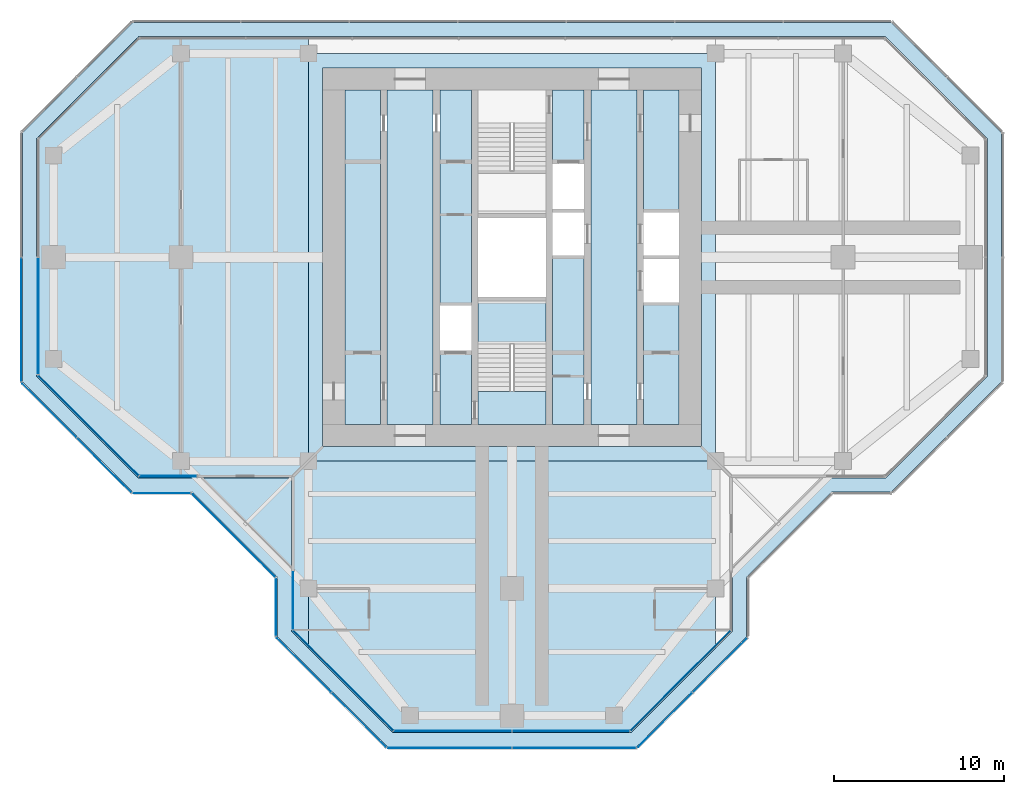
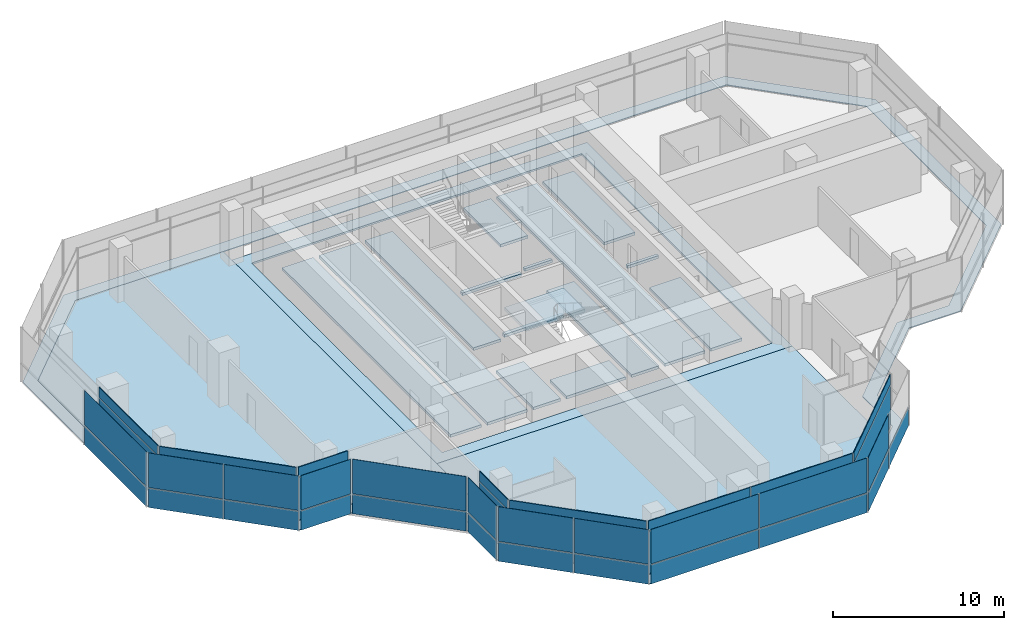
# One storey, part 9 of 15: 40 plates, 7 slabs, 16 elements without a shape of their own.
"""IFC4 building model written with IfcOpenShell, lengths in metres."""

from ifc_helpers import new_model, si_unit, direction, frame, origin, origin_2d, place, context, subcontext, project, spatial, polyline, rectangle, outline, extrude, material, layer, layer_set, type_object, element, aggregate, save


model = new_model("IFC4")

# Units and contexts
model_context = context("Model", 3, precision=1e-05, world=origin(), true_north=direction((0.0, 1.0)))
body_context = subcontext(model_context, "Body", "Model", "MODEL_VIEW")
ifc_project = project(units=[si_unit("LENGTHUNIT", "METRE"), si_unit("AREAUNIT", "SQUARE_METRE"), si_unit("VOLUMEUNIT", "CUBIC_METRE"), si_unit("PLANEANGLEUNIT", "RADIAN"), si_unit("MASSUNIT", "GRAM", prefix="KILO")], contexts=[model_context])

# Site, building, storey
site_placement = place(None, origin())
site = spatial("IfcSite", under=ifc_project, at=site_placement, CompositionType="ELEMENT")
building_placement = place(site_placement, origin())
building = spatial("IfcBuilding", under=site, at=building_placement, Name="Mizan Broadcast Tower", CompositionType="ELEMENT")
storey_placement = place(building_placement, frame((0.0, 0.0, 298.5)))
storey = spatial("IfcBuildingStorey", under=building, at=storey_placement, Name="L71", CompositionType="ELEMENT", Elevation=298.5)

# Plate
ifc_material_1 = material(Name="Aluminium grating", Category="aluminium")
ifc_layer_1 = layer(ifc_material_1, 0.050048828125)
ifc_layer_set_1 = layer_set([ifc_layer_1], Name="Aluminium grating")
plate_type_1 = type_object("IfcPlateType", Name="CAVITY GRATING", PredefinedType="USERDEFINED", material=ifc_layer_set_1)
plate_1_placement = place(storey_placement, frame((0.0, 0.0, -0.050048828125)))
element("IfcPlate", 1, at=plate_1_placement, inside=storey, type_object=plate_type_1, Name="Cavity grating L71", ObjectType="GRATING", PredefinedType="USERDEFINED", context=body_context, shape_type="SweptSolid", body=[
    extrude(outline(polyline([(-22.339599609375, 13.820068359375), (-28.820068359375, 7.339599609375), (-28.820068359375, -7.339599609375), (-22.339599609375, -13.820068359375), (-18.839599609375, -13.820068359375), (-13.820068359375, -18.839599609375), (-13.820068359375, -22.339599609375), (-7.339599609375, -28.820068359375), (7.339599609375, -28.820068359375), (13.820068359375, -22.339599609375), (13.820068359375, -18.839599609375), (18.839599609375, -13.820068359375), (22.339599609375, -13.820068359375), (28.820068359375, -7.339599609375), (28.820068359375, 7.339599609375), (22.339599609375, 13.820068359375), (-22.339599609375, 13.820068359375)]), holes=[polyline([(-18.5, -13.0), (-22.0, -13.0), (-28.0, -7.0), (-28.0, 7.0), (-22.0, 13.0), (22.0, 13.0), (28.0, 7.0), (28.0, -7.0), (22.0, -13.0), (18.5, -13.0), (13.0, -18.5), (13.0, -22.0), (7.0, -28.0), (-7.0, -28.0), (-13.0, -22.0), (-13.0, -18.5), (-18.5, -13.0)])]), origin(), (0.0, 0.0, 1.0), 0.050048828125),
])

# Slabs
ifc_material_2 = material(Name="Concrete C32/40", Category="concrete")
ifc_layer_2 = layer(ifc_material_2, 0.1298828125)
ifc_layer_set_2 = layer_set([ifc_layer_2], Name="Concrete C32/40")
slab_type_1 = type_object("IfcSlabType", Name="COMPOSITE DECK SLAB 130", PredefinedType="FLOOR", material=ifc_layer_set_2)
slab_1_placement = place(storey_placement, frame((0.0, 0.0, -0.1298828125)))
element("IfcSlab", 2, at=slab_1_placement, inside=storey, type_object=slab_type_1, Name="Floor slab L71 centre", PredefinedType="FLOOR", context=body_context, shape_type="SweptSolid", body=[
    extrude(outline(polyline([(-12.0, -12.0), (12.0, -12.0), (12.0, 12.0), (-12.0, 12.0), (-12.0, -12.0)]), holes=[polyline([(-11.14990234375, 11.14990234375), (11.14990234375, 11.14990234375), (11.14990234375, -11.14990234375), (-11.14990234375, -11.14990234375), (-11.14990234375, 11.14990234375)])]), origin(), (0.0, 0.0, 1.0), 0.1298828125),
])
slab_2_placement = place(storey_placement, frame((0.0, 0.0, -0.1298828125)))
element("IfcSlab", 3, at=slab_2_placement, inside=storey, type_object=slab_type_1, Name="Floor slab L71 west arm", PredefinedType="FLOOR", context=body_context, shape_type="SweptSolid", body=[
    extrude(outline(polyline([(-13.0, -22.0), (-12.0, -23.0), (-12.0, 13.0), (-13.0, 13.0), (-22.0, 13.0), (-28.0, 7.0), (-28.0, -7.0), (-22.0, -13.0), (-13.0, -13.0), (-13.0, -22.0)])), origin(), (0.0, 0.0, 1.0), 0.1298828125),
])
slab_3_placement = place(storey_placement, frame((0.0, 0.0, -0.1298828125)))
element("IfcSlab", 4, at=slab_3_placement, inside=storey, type_object=slab_type_1, Name="Floor slab L71 south arm", PredefinedType="FLOOR", context=body_context, shape_type="SweptSolid", body=[
    extrude(outline(polyline([(7.0, -28.0), (12.0, -23.0), (12.0, -12.0), (-12.0, -12.0), (-12.0, -23.0), (-7.0, -28.0), (7.0, -28.0)])), origin(), (0.0, 0.0, 1.0), 0.1298828125),
])
ifc_material_3 = material(Name="Concrete C40/50", Category="concrete")
ifc_layer_3 = layer(ifc_material_3, 0.199951171875)
ifc_layer_set_3 = layer_set([ifc_layer_3], Name="Concrete C40/50")
slab_type_2 = type_object("IfcSlabType", Name="CORE FLOOR 200", PredefinedType="FLOOR", material=ifc_layer_set_3)
slab_4_placement = place(storey_placement, frame((0.0, 0.0, -0.199951171875)))
element("IfcSlab", 5, at=slab_4_placement, inside=storey, type_object=slab_type_2, Name="Core floor L71", PredefinedType="FLOOR", context=body_context, shape_type="SweptSolid", body=[
    extrude(outline(polyline([(-9.85009765625, -9.85009765625), (-7.75, -9.85009765625), (-7.75, 9.85009765625), (-9.85009765625, 9.85009765625), (-9.85009765625, -9.85009765625)])), origin(), (0.0, 0.0, 1.0), 0.199951171875),
    extrude(outline(polyline([(-4.64990234375, 9.85009765625), (-7.35009765625, 9.85009765625), (-7.35009765625, -9.85009765625), (-4.64990234375, -9.85009765625), (-4.64990234375, 9.85009765625)])), origin(), (0.0, 0.0, 1.0), 0.199951171875),
    extrude(outline(polyline([(-4.25, -5.5), (-4.25, -9.85009765625), (-2.39990234375, -9.85009765625), (-2.39990234375, -5.5), (-4.25, -5.5)])), origin(), (0.0, 0.0, 1.0), 0.199951171875),
    extrude(outline(polyline([(-4.25, -2.85009765625), (-2.39990234375, -2.85009765625), (-2.39990234375, 9.85009765625), (-4.25, 9.85009765625), (-4.25, -2.85009765625)])), origin(), (0.0, 0.0, 1.0), 0.199951171875),
    extrude(outline(polyline([(2.0, -2.324951171875), (-2.0, -2.324951171875), (-2.0, -2.574951171875), (2.0, -2.574951171875), (2.0, -2.324951171875)])), origin(), (0.0, 0.0, 1.0), 0.199951171875),
    extrude(outline(polyline([(2.0, 2.574951171875), (-2.0, 2.574951171875), (-2.0, 2.324951171875), (2.0, 2.324951171875), (2.0, 2.574951171875)])), origin(), (0.0, 0.0, 1.0), 0.199951171875),
    extrude(outline(polyline([(4.25, -9.85009765625), (4.25, 0.10009765625), (2.39990234375, 0.10009765625), (2.39990234375, -9.85009765625), (4.25, -9.85009765625)])), origin(), (0.0, 0.0, 1.0), 0.199951171875),
    extrude(outline(polyline([(4.25, 2.64990234375), (4.25, 2.85009765625), (2.39990234375, 2.85009765625), (2.39990234375, 2.64990234375), (4.25, 2.64990234375)])), origin(), (0.0, 0.0, 1.0), 0.199951171875),
    extrude(outline(polyline([(4.25, 5.5), (4.25, 9.85009765625), (2.39990234375, 9.85009765625), (2.39990234375, 5.5), (4.25, 5.5)])), origin(), (0.0, 0.0, 1.0), 0.199951171875),
    extrude(outline(polyline([(4.64990234375, 9.85009765625), (4.64990234375, -9.85009765625), (7.35009765625, -9.85009765625), (7.35009765625, 9.85009765625), (4.64990234375, 9.85009765625)])), origin(), (0.0, 0.0, 1.0), 0.199951171875),
    extrude(outline(polyline([(9.85009765625, -9.85009765625), (9.85009765625, -2.64990234375), (7.75, -2.64990234375), (7.75, -9.85009765625), (9.85009765625, -9.85009765625)])), origin(), (0.0, 0.0, 1.0), 0.199951171875),
    extrude(outline(polyline([(9.85009765625, -0.10009765625), (9.85009765625, 0.10009765625), (7.75, 0.10009765625), (7.75, -0.10009765625), (9.85009765625, -0.10009765625)])), origin(), (0.0, 0.0, 1.0), 0.199951171875),
    extrude(outline(polyline([(7.75, 9.85009765625), (7.75, 2.64990234375), (9.85009765625, 2.64990234375), (9.85009765625, 9.85009765625), (7.75, 9.85009765625)])), origin(), (0.0, 0.0, 1.0), 0.199951171875),
])

# Curtain wall, plate
ifc_material_4 = material(Name="Aluminium framed glazing", Category="aluminium")
curtain_wall_type_1 = type_object("IfcCurtainWallType", Name="INNER SKIN TOP ZONE", PredefinedType="USERDEFINED", material=ifc_material_4)
curtain_wall_1_placement = place(storey_placement, origin())
curtain_wall_1 = element("IfcCurtainWall", 6, at=curtain_wall_1_placement, inside=storey, type_object=curtain_wall_type_1, Name="Inner skin top zone L71 W end", ObjectType="INNER SKIN TOP ZONE", PredefinedType="USERDEFINED")
ifc_material_5 = material(Name="Double glazing, clear low-e", Category="glass")
ifc_layer_4 = layer(ifc_material_5, 0.028076171875)
ifc_layer_set_4 = layer_set([ifc_layer_4], Name="Double glazing, clear low-e")
plate_type_2 = type_object("IfcPlateType", Name="INNER SKIN GLAZING UNIT", PredefinedType="CURTAIN_PANEL", material=ifc_layer_set_4)
plate_2_placement = place(storey_placement, frame((-27.89990234375, -3.46435546875, 0.0), z_axis=(0.0, 0.0, 1.0), x_axis=(0.0, -1.0, 0.0)))
plate_2 = element("IfcPlate", 7, at=plate_2_placement, type_object=plate_type_2, Name="Inner skin top zone L71 W end panel 2.1", PredefinedType="CURTAIN_PANEL", context=body_context, shape_type="SweptSolid", body=[
    extrude(rectangle(XDim=6.86865234375, YDim=0.028076171875, at=origin_2d()), origin(), (0.0, 0.0, 1.0), 3.0),
])

curtain_wall_2_placement = place(storey_placement, origin())
curtain_wall_2 = element("IfcCurtainWall", 8, at=curtain_wall_2_placement, inside=storey, type_object=curtain_wall_type_1, Name="Inner skin top zone L71 W chamfer", ObjectType="INNER SKIN TOP ZONE", PredefinedType="USERDEFINED")
plate_3_placement = place(storey_placement, frame((-24.92919921875, -9.92919921875, 0.0), z_axis=(0.0, 0.0, 1.0), x_axis=(0.707106781187, -0.707106781187, 0.0)))
plate_3 = element("IfcPlate", 9, at=plate_3_placement, type_object=plate_type_2, Name="Inner skin top zone L71 W chamfer panel 1.1", PredefinedType="CURTAIN_PANEL", context=body_context, shape_type="SweptSolid", body=[
    extrude(rectangle(XDim=8.282470703125, YDim=0.028076171875, at=origin_2d()), origin(), (0.0, 0.0, 1.0), 3.0),
])

curtain_wall_3_placement = place(storey_placement, origin())
curtain_wall_3 = element("IfcCurtainWall", 10, at=curtain_wall_3_placement, inside=storey, type_object=curtain_wall_type_1, Name="Inner skin top zone L71 W side", ObjectType="INNER SKIN TOP ZONE", PredefinedType="USERDEFINED")
plate_4_placement = place(storey_placement, frame((-20.229248046875, -12.89990234375, 0.0), z_axis=(0.0, 0.0, 1.0), x_axis=(1.0, 0.0, 0.0)))
plate_4 = element("IfcPlate", 11, at=plate_4_placement, type_object=plate_type_2, Name="Inner skin top zone L71 W side panel 1.1", PredefinedType="CURTAIN_PANEL", context=body_context, shape_type="SweptSolid", body=[
    extrude(rectangle(XDim=3.338623046875, YDim=0.028076171875, at=origin_2d()), origin(), (0.0, 0.0, 1.0), 3.0),
])

curtain_wall_4_placement = place(storey_placement, origin())
curtain_wall_4 = element("IfcCurtainWall", 12, at=curtain_wall_4_placement, inside=storey, type_object=curtain_wall_type_1, Name="Inner skin top zone L71 S side", ObjectType="INNER SKIN TOP ZONE", PredefinedType="USERDEFINED")
plate_5_placement = place(storey_placement, frame((-12.89990234375, -20.229248046875, 0.0), z_axis=(0.0, 0.0, 1.0), x_axis=(0.0, -1.0, 0.0)))
plate_5 = element("IfcPlate", 13, at=plate_5_placement, type_object=plate_type_2, Name="Inner skin top zone L71 S side panel 1.1", PredefinedType="CURTAIN_PANEL", context=body_context, shape_type="SweptSolid", body=[
    extrude(rectangle(XDim=3.338623046875, YDim=0.028076171875, at=origin_2d()), origin(), (0.0, 0.0, 1.0), 3.0),
])

curtain_wall_5_placement = place(storey_placement, origin())
curtain_wall_5 = element("IfcCurtainWall", 14, at=curtain_wall_5_placement, inside=storey, type_object=curtain_wall_type_1, Name="Inner skin top zone L71 S chamfer", ObjectType="INNER SKIN TOP ZONE", PredefinedType="USERDEFINED")
plate_6_placement = place(storey_placement, frame((-9.92919921875, -24.92919921875, 0.0), z_axis=(0.0, 0.0, 1.0), x_axis=(0.707106781187, -0.707106781187, 0.0)))
plate_6 = element("IfcPlate", 15, at=plate_6_placement, type_object=plate_type_2, Name="Inner skin top zone L71 S chamfer panel 1.1", PredefinedType="CURTAIN_PANEL", context=body_context, shape_type="SweptSolid", body=[
    extrude(rectangle(XDim=8.282470703125, YDim=0.028076171875, at=origin_2d()), origin(), (0.0, 0.0, 1.0), 3.0),
])

# Curtain wall, plates
curtain_wall_6_placement = place(storey_placement, origin())
curtain_wall_6 = element("IfcCurtainWall", 16, at=curtain_wall_6_placement, inside=storey, type_object=curtain_wall_type_1, Name="Inner skin top zone L71 S end", ObjectType="INNER SKIN TOP ZONE", PredefinedType="USERDEFINED")
plate_7_placement = place(storey_placement, frame((-3.46435546875, -27.89990234375, 0.0), z_axis=(0.0, 0.0, 1.0), x_axis=(1.0, 0.0, 0.0)))
plate_7 = element("IfcPlate", 17, at=plate_7_placement, type_object=plate_type_2, Name="Inner skin top zone L71 S end panel 1.1", PredefinedType="CURTAIN_PANEL", context=body_context, shape_type="SweptSolid", body=[
    extrude(rectangle(XDim=6.86865234375, YDim=0.028076171875, at=origin_2d()), origin(), (0.0, 0.0, 1.0), 3.0),
])
plate_8_placement = place(storey_placement, frame((3.46435546875, -27.89990234375, 0.0), z_axis=(0.0, 0.0, 1.0), x_axis=(1.0, 0.0, 0.0)))
plate_8 = element("IfcPlate", 18, at=plate_8_placement, type_object=plate_type_2, Name="Inner skin top zone L71 S end panel 2.1", PredefinedType="CURTAIN_PANEL", context=body_context, shape_type="SweptSolid", body=[
    extrude(rectangle(XDim=6.86865234375, YDim=0.028076171875, at=origin_2d()), origin(), (0.0, 0.0, 1.0), 3.0),
])

# Curtain wall, plate
curtain_wall_7_placement = place(storey_placement, origin())
curtain_wall_7 = element("IfcCurtainWall", 19, at=curtain_wall_7_placement, inside=storey, type_object=curtain_wall_type_1, Name="Inner skin top zone L71 S chamfer", ObjectType="INNER SKIN TOP ZONE", PredefinedType="USERDEFINED")
plate_9_placement = place(storey_placement, frame((9.92919921875, -24.92919921875, 0.0), z_axis=(0.0, 0.0, 1.0), x_axis=(0.707106781187, 0.707106781187, 0.0)))
plate_9 = element("IfcPlate", 20, at=plate_9_placement, type_object=plate_type_2, Name="Inner skin top zone L71 S chamfer panel 1.1", PredefinedType="CURTAIN_PANEL", context=body_context, shape_type="SweptSolid", body=[
    extrude(rectangle(XDim=8.282470703125, YDim=0.028076171875, at=origin_2d()), origin(), (0.0, 0.0, 1.0), 3.0),
])

# Plate
ifc_material_6 = material(Name="Insulated aluminium spandrel panel, pale anodised", Category="aluminium")
ifc_layer_5 = layer(ifc_material_6, 0.050048828125)
ifc_layer_set_5 = layer_set([ifc_layer_5], Name="Insulated aluminium spandrel panel, pale anodised")
plate_type_3 = type_object("IfcPlateType", Name="INNER SKIN SPANDREL PANEL", PredefinedType="CURTAIN_PANEL", material=ifc_layer_set_5)
plate_10_placement = place(storey_placement, frame((-27.89990234375, -3.46435546875, 3.06005859375), z_axis=(0.0, 0.0, 1.0), x_axis=(0.0, -1.0, 0.0)))
plate_10 = element("IfcPlate", 21, at=plate_10_placement, type_object=plate_type_3, Name="Inner skin top zone L71 W end panel 2.2", PredefinedType="CURTAIN_PANEL", context=body_context, shape_type="SweptSolid", body=[
    extrude(rectangle(XDim=6.86865234375, YDim=0.050048828125, at=origin_2d()), origin(), (0.0, 0.0, 1.0), 0.7099609375),
])

aggregate(curtain_wall_1, [plate_2, plate_10])

plate_11_placement = place(storey_placement, frame((-24.92919921875, -9.92919921875, 3.06005859375), z_axis=(0.0, 0.0, 1.0), x_axis=(0.707106781187, -0.707106781187, 0.0)))
plate_11 = element("IfcPlate", 22, at=plate_11_placement, type_object=plate_type_3, Name="Inner skin top zone L71 W chamfer panel 1.2", PredefinedType="CURTAIN_PANEL", context=body_context, shape_type="SweptSolid", body=[
    extrude(rectangle(XDim=8.282470703125, YDim=0.050048828125, at=origin_2d()), origin(), (0.0, 0.0, 1.0), 0.7099609375),
])

aggregate(curtain_wall_2, [plate_3, plate_11])

plate_12_placement = place(storey_placement, frame((-20.229248046875, -12.89990234375, 3.06005859375), z_axis=(0.0, 0.0, 1.0), x_axis=(1.0, 0.0, 0.0)))
plate_12 = element("IfcPlate", 23, at=plate_12_placement, type_object=plate_type_3, Name="Inner skin top zone L71 W side panel 1.2", PredefinedType="CURTAIN_PANEL", context=body_context, shape_type="SweptSolid", body=[
    extrude(rectangle(XDim=3.338623046875, YDim=0.050048828125, at=origin_2d()), origin(), (0.0, 0.0, 1.0), 0.7099609375),
])

aggregate(curtain_wall_3, [plate_4, plate_12])

plate_13_placement = place(storey_placement, frame((-12.89990234375, -20.229248046875, 3.06005859375), z_axis=(0.0, 0.0, 1.0), x_axis=(0.0, -1.0, 0.0)))
plate_13 = element("IfcPlate", 24, at=plate_13_placement, type_object=plate_type_3, Name="Inner skin top zone L71 S side panel 1.2", PredefinedType="CURTAIN_PANEL", context=body_context, shape_type="SweptSolid", body=[
    extrude(rectangle(XDim=3.338623046875, YDim=0.050048828125, at=origin_2d()), origin(), (0.0, 0.0, 1.0), 0.7099609375),
])

aggregate(curtain_wall_4, [plate_5, plate_13])

plate_14_placement = place(storey_placement, frame((-9.92919921875, -24.92919921875, 3.06005859375), z_axis=(0.0, 0.0, 1.0), x_axis=(0.707106781187, -0.707106781187, 0.0)))
plate_14 = element("IfcPlate", 25, at=plate_14_placement, type_object=plate_type_3, Name="Inner skin top zone L71 S chamfer panel 1.2", PredefinedType="CURTAIN_PANEL", context=body_context, shape_type="SweptSolid", body=[
    extrude(rectangle(XDim=8.282470703125, YDim=0.050048828125, at=origin_2d()), origin(), (0.0, 0.0, 1.0), 0.7099609375),
])

aggregate(curtain_wall_5, [plate_6, plate_14])

plate_15_placement = place(storey_placement, frame((-3.46435546875, -27.89990234375, 3.06005859375), z_axis=(0.0, 0.0, 1.0), x_axis=(1.0, 0.0, 0.0)))
plate_15 = element("IfcPlate", 26, at=plate_15_placement, type_object=plate_type_3, Name="Inner skin top zone L71 S end panel 1.2", PredefinedType="CURTAIN_PANEL", context=body_context, shape_type="SweptSolid", body=[
    extrude(rectangle(XDim=6.86865234375, YDim=0.050048828125, at=origin_2d()), origin(), (0.0, 0.0, 1.0), 0.7099609375),
])

plate_16_placement = place(storey_placement, frame((3.46435546875, -27.89990234375, 3.06005859375), z_axis=(0.0, 0.0, 1.0), x_axis=(1.0, 0.0, 0.0)))
plate_16 = element("IfcPlate", 27, at=plate_16_placement, type_object=plate_type_3, Name="Inner skin top zone L71 S end panel 2.2", PredefinedType="CURTAIN_PANEL", context=body_context, shape_type="SweptSolid", body=[
    extrude(rectangle(XDim=6.86865234375, YDim=0.050048828125, at=origin_2d()), origin(), (0.0, 0.0, 1.0), 0.7099609375),
])

aggregate(curtain_wall_6, [plate_7, plate_15, plate_8, plate_16])

plate_17_placement = place(storey_placement, frame((9.92919921875, -24.92919921875, 3.06005859375), z_axis=(0.0, 0.0, 1.0), x_axis=(0.707106781187, 0.707106781187, 0.0)))
plate_17 = element("IfcPlate", 28, at=plate_17_placement, type_object=plate_type_3, Name="Inner skin top zone L71 S chamfer panel 1.2", PredefinedType="CURTAIN_PANEL", context=body_context, shape_type="SweptSolid", body=[
    extrude(rectangle(XDim=8.282470703125, YDim=0.050048828125, at=origin_2d()), origin(), (0.0, 0.0, 1.0), 0.7099609375),
])

aggregate(curtain_wall_7, [plate_9, plate_17])

# Curtain wall, plates
ifc_material_7 = material(Name="Aluminium framed glazing", Category="aluminium")
curtain_wall_type_2 = type_object("IfcCurtainWallType", Name="OUTER SKIN", PredefinedType="USERDEFINED", material=ifc_material_7)
curtain_wall_8_placement = place(storey_placement, origin())
curtain_wall_8 = element("IfcCurtainWall", 29, at=curtain_wall_8_placement, inside=storey, type_object=curtain_wall_type_2, Name="Outer skin L71 W chamfer", ObjectType="OUTER SKIN", PredefinedType="USERDEFINED")
ifc_material_8 = material(Name="Laminated clear glass", Category="glass")
ifc_layer_6 = layer(ifc_material_8, 0.02001953125)
ifc_layer_set_6 = layer_set([ifc_layer_6], Name="Laminated clear glass")
plate_type_4 = type_object("IfcPlateType", Name="OUTER SKIN CLEAR GLASS", PredefinedType="CURTAIN_PANEL", material=ifc_layer_set_6)
plate_18_placement = place(storey_placement, frame((-27.254150390625, -9.018798828125, 0.0), z_axis=(0.0, 0.0, 1.0), x_axis=(0.707106781187, -0.707106781187, 0.0)))
plate_18 = element("IfcPlate", 30, at=plate_18_placement, type_object=plate_type_4, Name="Outer skin L71 W chamfer panel 1.1", PredefinedType="CURTAIN_PANEL", context=body_context, shape_type="SweptSolid", body=[
    extrude(rectangle(XDim=4.495361328125, YDim=0.02001953125, at=origin_2d()), origin(), (0.0, 0.0, 1.0), 1.3701171875),
])
plate_19_placement = place(storey_placement, frame((-27.254150390625, -9.018798828125, 1.43017578125), z_axis=(0.0, 0.0, 1.0), x_axis=(0.707106781187, -0.707106781187, 0.0)))
plate_19 = element("IfcPlate", 31, at=plate_19_placement, type_object=plate_type_4, Name="Outer skin L71 W chamfer panel 1.2", PredefinedType="CURTAIN_PANEL", context=body_context, shape_type="SweptSolid", body=[
    extrude(rectangle(XDim=4.495361328125, YDim=0.02001953125, at=origin_2d()), origin(), (0.0, 0.0, 1.0), 2.469970703125),
])

curtain_wall_9_placement = place(storey_placement, origin())
curtain_wall_9 = element("IfcCurtainWall", 32, at=curtain_wall_9_placement, inside=storey, type_object=curtain_wall_type_2, Name="Outer skin L71 W side", ObjectType="OUTER SKIN", PredefinedType="USERDEFINED")
plate_20_placement = place(storey_placement, frame((-20.622802734375, -13.89990234375, 0.0), z_axis=(0.0, 0.0, 1.0), x_axis=(1.0, 0.0, 0.0)))
plate_20 = element("IfcPlate", 33, at=plate_20_placement, type_object=plate_type_4, Name="Outer skin L71 W side panel 1.1", PredefinedType="CURTAIN_PANEL", context=body_context, shape_type="SweptSolid", body=[
    extrude(rectangle(XDim=3.340087890625, YDim=0.02001953125, at=origin_2d()), origin(), (0.0, 0.0, 1.0), 1.3701171875),
])
plate_21_placement = place(storey_placement, frame((-20.622802734375, -13.89990234375, 1.43017578125), z_axis=(0.0, 0.0, 1.0), x_axis=(1.0, 0.0, 0.0)))
plate_21 = element("IfcPlate", 34, at=plate_21_placement, type_object=plate_type_4, Name="Outer skin L71 W side panel 1.2", PredefinedType="CURTAIN_PANEL", context=body_context, shape_type="SweptSolid", body=[
    extrude(rectangle(XDim=3.340087890625, YDim=0.02001953125, at=origin_2d()), origin(), (0.0, 0.0, 1.0), 2.469970703125),
])
aggregate(curtain_wall_9, [plate_20, plate_21])

curtain_wall_10_placement = place(storey_placement, origin())
curtain_wall_10 = element("IfcCurtainWall", 35, at=curtain_wall_10_placement, inside=storey, type_object=curtain_wall_type_2, Name="Outer skin L71 W chamfer", ObjectType="OUTER SKIN", PredefinedType="USERDEFINED")
plate_22_placement = place(storey_placement, frame((-16.386474609375, -16.386474609375, 0.0), z_axis=(0.0, 0.0, 1.0), x_axis=(0.707106781187, -0.707106781187, 0.0)))
plate_22 = element("IfcPlate", 36, at=plate_22_placement, type_object=plate_type_4, Name="Outer skin L71 W chamfer panel 1.1", PredefinedType="CURTAIN_PANEL", context=body_context, shape_type="SweptSolid", body=[
    extrude(rectangle(XDim=6.87255859375, YDim=0.02001953125, at=origin_2d()), origin(), (0.0, 0.0, 1.0), 1.3701171875),
])
plate_23_placement = place(storey_placement, frame((-16.386474609375, -16.386474609375, 1.43017578125), z_axis=(0.0, 0.0, 1.0), x_axis=(0.707106781187, -0.707106781187, 0.0)))
plate_23 = element("IfcPlate", 37, at=plate_23_placement, type_object=plate_type_4, Name="Outer skin L71 W chamfer panel 1.2", PredefinedType="CURTAIN_PANEL", context=body_context, shape_type="SweptSolid", body=[
    extrude(rectangle(XDim=6.87255859375, YDim=0.02001953125, at=origin_2d()), origin(), (0.0, 0.0, 1.0), 2.469970703125),
])
aggregate(curtain_wall_10, [plate_22, plate_23])

curtain_wall_11_placement = place(storey_placement, origin())
curtain_wall_11 = element("IfcCurtainWall", 38, at=curtain_wall_11_placement, inside=storey, type_object=curtain_wall_type_2, Name="Outer skin L71 S side", ObjectType="OUTER SKIN", PredefinedType="USERDEFINED")
plate_24_placement = place(storey_placement, frame((-13.89990234375, -20.622802734375, 0.0), z_axis=(0.0, 0.0, 1.0), x_axis=(0.0, -1.0, 0.0)))
plate_24 = element("IfcPlate", 39, at=plate_24_placement, type_object=plate_type_4, Name="Outer skin L71 S side panel 1.1", PredefinedType="CURTAIN_PANEL", context=body_context, shape_type="SweptSolid", body=[
    extrude(rectangle(XDim=3.340087890625, YDim=0.02001953125, at=origin_2d()), origin(), (0.0, 0.0, 1.0), 1.3701171875),
])
plate_25_placement = place(storey_placement, frame((-13.89990234375, -20.622802734375, 1.43017578125), z_axis=(0.0, 0.0, 1.0), x_axis=(0.0, -1.0, 0.0)))
plate_25 = element("IfcPlate", 40, at=plate_25_placement, type_object=plate_type_4, Name="Outer skin L71 S side panel 1.2", PredefinedType="CURTAIN_PANEL", context=body_context, shape_type="SweptSolid", body=[
    extrude(rectangle(XDim=3.340087890625, YDim=0.02001953125, at=origin_2d()), origin(), (0.0, 0.0, 1.0), 2.469970703125),
])
aggregate(curtain_wall_11, [plate_24, plate_25])

curtain_wall_12_placement = place(storey_placement, origin())
curtain_wall_12 = element("IfcCurtainWall", 41, at=curtain_wall_12_placement, inside=storey, type_object=curtain_wall_type_2, Name="Outer skin L71 S chamfer", ObjectType="OUTER SKIN", PredefinedType="USERDEFINED")
plate_26_placement = place(storey_placement, frame((-12.254150390625, -24.018798828125, 0.0), z_axis=(0.0, 0.0, 1.0), x_axis=(0.707106781187, -0.707106781187, 0.0)))
plate_26 = element("IfcPlate", 42, at=plate_26_placement, type_object=plate_type_4, Name="Outer skin L71 S chamfer panel 1.1", PredefinedType="CURTAIN_PANEL", context=body_context, shape_type="SweptSolid", body=[
    extrude(rectangle(XDim=4.495361328125, YDim=0.02001953125, at=origin_2d()), origin(), (0.0, 0.0, 1.0), 1.3701171875),
])
plate_27_placement = place(storey_placement, frame((-12.254150390625, -24.018798828125, 1.43017578125), z_axis=(0.0, 0.0, 1.0), x_axis=(0.707106781187, -0.707106781187, 0.0)))
plate_27 = element("IfcPlate", 43, at=plate_27_placement, type_object=plate_type_4, Name="Outer skin L71 S chamfer panel 1.2", PredefinedType="CURTAIN_PANEL", context=body_context, shape_type="SweptSolid", body=[
    extrude(rectangle(XDim=4.495361328125, YDim=0.02001953125, at=origin_2d()), origin(), (0.0, 0.0, 1.0), 2.469970703125),
])

curtain_wall_13_placement = place(storey_placement, origin())
curtain_wall_13 = element("IfcCurtainWall", 44, at=curtain_wall_13_placement, inside=storey, type_object=curtain_wall_type_2, Name="Outer skin L71 S end", ObjectType="OUTER SKIN", PredefinedType="USERDEFINED")
plate_28_placement = place(storey_placement, frame((-3.66650390625, -28.89990234375, 0.0), z_axis=(0.0, 0.0, 1.0), x_axis=(1.0, 0.0, 0.0)))
plate_28 = element("IfcPlate", 45, at=plate_28_placement, type_object=plate_type_4, Name="Outer skin L71 S end panel 1.1", PredefinedType="CURTAIN_PANEL", context=body_context, shape_type="SweptSolid", body=[
    extrude(rectangle(XDim=7.252685546875, YDim=0.02001953125, at=origin_2d()), origin(), (0.0, 0.0, 1.0), 1.3701171875),
])
plate_29_placement = place(storey_placement, frame((-3.66650390625, -28.89990234375, 1.43017578125), z_axis=(0.0, 0.0, 1.0), x_axis=(1.0, 0.0, 0.0)))
plate_29 = element("IfcPlate", 46, at=plate_29_placement, type_object=plate_type_4, Name="Outer skin L71 S end panel 1.2", PredefinedType="CURTAIN_PANEL", context=body_context, shape_type="SweptSolid", body=[
    extrude(rectangle(XDim=7.252685546875, YDim=0.02001953125, at=origin_2d()), origin(), (0.0, 0.0, 1.0), 2.469970703125),
])

curtain_wall_14_placement = place(storey_placement, origin())
curtain_wall_14 = element("IfcCurtainWall", 47, at=curtain_wall_14_placement, inside=storey, type_object=curtain_wall_type_2, Name="Outer skin L71 S chamfer", ObjectType="OUTER SKIN", PredefinedType="USERDEFINED")
plate_30_placement = place(storey_placement, frame((9.018798828125, -27.254150390625, 0.0), z_axis=(0.0, 0.0, 1.0), x_axis=(0.707106781187, 0.707106781187, 0.0)))
plate_30 = element("IfcPlate", 48, at=plate_30_placement, type_object=plate_type_4, Name="Outer skin L71 S chamfer panel 1.1", PredefinedType="CURTAIN_PANEL", context=body_context, shape_type="SweptSolid", body=[
    extrude(rectangle(XDim=4.495361328125, YDim=0.02001953125, at=origin_2d()), origin(), (0.0, 0.0, 1.0), 1.3701171875),
])
plate_31_placement = place(storey_placement, frame((9.018798828125, -27.254150390625, 1.43017578125), z_axis=(0.0, 0.0, 1.0), x_axis=(0.707106781187, 0.707106781187, 0.0)))
plate_31 = element("IfcPlate", 49, at=plate_31_placement, type_object=plate_type_4, Name="Outer skin L71 S chamfer panel 1.2", PredefinedType="CURTAIN_PANEL", context=body_context, shape_type="SweptSolid", body=[
    extrude(rectangle(XDim=4.495361328125, YDim=0.02001953125, at=origin_2d()), origin(), (0.0, 0.0, 1.0), 2.469970703125),
])

# Plate
ifc_material_9 = material(Name="Perforated aluminium, pale anodised", Category="aluminium")
ifc_layer_7 = layer(ifc_material_9, 0.011962890625)
ifc_layer_set_7 = layer_set([ifc_layer_7], Name="Perforated aluminium, pale anodised")
plate_type_5 = type_object("IfcPlateType", Name="OUTER SKIN PERFORATED SCREEN", PredefinedType="USERDEFINED", material=ifc_layer_set_7)
plate_32_placement = place(storey_placement, frame((-24.018798828125, -12.254150390625, 0.0), z_axis=(0.0, 0.0, 1.0), x_axis=(0.707106781187, -0.707106781187, 0.0)))
plate_32 = element("IfcPlate", 50, at=plate_32_placement, type_object=plate_type_5, Name="Outer skin L71 W chamfer panel 2.1", ObjectType="SCREEN", PredefinedType="USERDEFINED", context=body_context, shape_type="SweptSolid", body=[
    extrude(rectangle(XDim=4.495361328125, YDim=0.011962890625, at=origin_2d()), origin(), (0.0, 0.0, 1.0), 1.3701171875),
])

plate_33_placement = place(storey_placement, frame((-24.018798828125, -12.254150390625, 1.43017578125), z_axis=(0.0, 0.0, 1.0), x_axis=(0.707106781187, -0.707106781187, 0.0)))
plate_33 = element("IfcPlate", 51, at=plate_33_placement, type_object=plate_type_5, Name="Outer skin L71 W chamfer panel 2.2", ObjectType="SCREEN", PredefinedType="USERDEFINED", context=body_context, shape_type="SweptSolid", body=[
    extrude(rectangle(XDim=4.495361328125, YDim=0.011962890625, at=origin_2d()), origin(), (0.0, 0.0, 1.0), 2.469970703125),
])

aggregate(curtain_wall_8, [plate_18, plate_19, plate_32, plate_33])

plate_34_placement = place(storey_placement, frame((-9.018798828125, -27.254150390625, 0.0), z_axis=(0.0, 0.0, 1.0), x_axis=(0.707106781187, -0.707106781187, 0.0)))
plate_34 = element("IfcPlate", 52, at=plate_34_placement, type_object=plate_type_5, Name="Outer skin L71 S chamfer panel 2.1", ObjectType="SCREEN", PredefinedType="USERDEFINED", context=body_context, shape_type="SweptSolid", body=[
    extrude(rectangle(XDim=4.495361328125, YDim=0.011962890625, at=origin_2d()), origin(), (0.0, 0.0, 1.0), 1.3701171875),
])

plate_35_placement = place(storey_placement, frame((-9.018798828125, -27.254150390625, 1.43017578125), z_axis=(0.0, 0.0, 1.0), x_axis=(0.707106781187, -0.707106781187, 0.0)))
plate_35 = element("IfcPlate", 53, at=plate_35_placement, type_object=plate_type_5, Name="Outer skin L71 S chamfer panel 2.2", ObjectType="SCREEN", PredefinedType="USERDEFINED", context=body_context, shape_type="SweptSolid", body=[
    extrude(rectangle(XDim=4.495361328125, YDim=0.011962890625, at=origin_2d()), origin(), (0.0, 0.0, 1.0), 2.469970703125),
])

aggregate(curtain_wall_12, [plate_26, plate_27, plate_34, plate_35])

plate_36_placement = place(storey_placement, frame((3.66650390625, -28.89990234375, 0.0), z_axis=(0.0, 0.0, 1.0), x_axis=(1.0, 0.0, 0.0)))
plate_36 = element("IfcPlate", 54, at=plate_36_placement, type_object=plate_type_5, Name="Outer skin L71 S end panel 2.1", ObjectType="SCREEN", PredefinedType="USERDEFINED", context=body_context, shape_type="SweptSolid", body=[
    extrude(rectangle(XDim=7.252685546875, YDim=0.011962890625, at=origin_2d()), origin(), (0.0, 0.0, 1.0), 1.3701171875),
])

plate_37_placement = place(storey_placement, frame((3.66650390625, -28.89990234375, 1.43017578125), z_axis=(0.0, 0.0, 1.0), x_axis=(1.0, 0.0, 0.0)))
plate_37 = element("IfcPlate", 55, at=plate_37_placement, type_object=plate_type_5, Name="Outer skin L71 S end panel 2.2", ObjectType="SCREEN", PredefinedType="USERDEFINED", context=body_context, shape_type="SweptSolid", body=[
    extrude(rectangle(XDim=7.252685546875, YDim=0.011962890625, at=origin_2d()), origin(), (0.0, 0.0, 1.0), 2.469970703125),
])

aggregate(curtain_wall_13, [plate_28, plate_29, plate_36, plate_37])

plate_38_placement = place(storey_placement, frame((12.254150390625, -24.018798828125, 0.0), z_axis=(0.0, 0.0, 1.0), x_axis=(0.707106781187, 0.707106781187, 0.0)))
plate_38 = element("IfcPlate", 56, at=plate_38_placement, type_object=plate_type_5, Name="Outer skin L71 S chamfer panel 2.1", ObjectType="SCREEN", PredefinedType="USERDEFINED", context=body_context, shape_type="SweptSolid", body=[
    extrude(rectangle(XDim=4.495361328125, YDim=0.011962890625, at=origin_2d()), origin(), (0.0, 0.0, 1.0), 1.3701171875),
])

aggregate(curtain_wall_14, [plate_30, plate_31, plate_38])

# Curtain wall, plates
curtain_wall_15_placement = place(storey_placement, origin())
curtain_wall_15 = element("IfcCurtainWall", 57, at=curtain_wall_15_placement, inside=storey, type_object=curtain_wall_type_2, Name="Outer skin L71 W end", ObjectType="OUTER SKIN", PredefinedType="USERDEFINED")
plate_39_placement = place(storey_placement, frame((-28.89990234375, -3.66650390625, 0.0), z_axis=(0.0, 0.0, 1.0), x_axis=(0.0, -1.0, 0.0)))
plate_39 = element("IfcPlate", 58, at=plate_39_placement, type_object=plate_type_5, Name="Outer skin L71 W end panel 2.1", ObjectType="SCREEN", PredefinedType="USERDEFINED", context=body_context, shape_type="SweptSolid", body=[
    extrude(rectangle(XDim=7.252685546875, YDim=0.011962890625, at=origin_2d()), origin(), (0.0, 0.0, 1.0), 1.3701171875),
])
plate_40_placement = place(storey_placement, frame((-28.89990234375, -3.66650390625, 1.43017578125), z_axis=(0.0, 0.0, 1.0), x_axis=(0.0, -1.0, 0.0)))
plate_40 = element("IfcPlate", 59, at=plate_40_placement, type_object=plate_type_5, Name="Outer skin L71 W end panel 2.2", ObjectType="SCREEN", PredefinedType="USERDEFINED", context=body_context, shape_type="SweptSolid", body=[
    extrude(rectangle(XDim=7.252685546875, YDim=0.011962890625, at=origin_2d()), origin(), (0.0, 0.0, 1.0), 2.469970703125),
])
aggregate(curtain_wall_15, [plate_39, plate_40])

# Stair, slabs
ifc_material_10 = material(Name="Concrete C40/50", Category="concrete")
stair_type = type_object("IfcStairType", Name="EXIT STAIR", PredefinedType="HALF_TURN_STAIR", material=ifc_material_10)
stair_placement = place(storey_placement, origin())
stair = element("IfcStair", 60, at=stair_placement, inside=storey, type_object=stair_type, Name="Stair A L71", PredefinedType="HALF_TURN_STAIR")
ifc_material_11 = material(Name="Concrete C40/50", Category="concrete")
ifc_layer_8 = layer(ifc_material_11, 0.199951171875)
ifc_layer_set_8 = layer_set([ifc_layer_8], Name="Concrete C40/50")
slab_type_3 = type_object("IfcSlabType", Name="STAIR LANDING 200", PredefinedType="LANDING", material=ifc_layer_set_8)
slab_5_placement = place(storey_placement, frame((0.0, 0.0, -0.199951171875)))
slab_5 = element("IfcSlab", 61, at=slab_5_placement, type_object=slab_type_3, Name="A landing 1", PredefinedType="LANDING", context=body_context, shape_type="SweptSolid", body=[
    extrude(outline(polyline([(-2.0, -9.85009765625), (-2.0, -7.89990234375), (2.0, -7.89990234375), (2.0, -9.85009765625), (-2.0, -9.85009765625)])), origin(), (0.0, 0.0, 1.0), 0.199951171875),
])
slab_6_placement = place(storey_placement, frame((0.0, 0.0, 1.75)))
slab_6 = element("IfcSlab", 62, at=slab_6_placement, type_object=slab_type_3, Name="A landing 2", PredefinedType="LANDING", context=body_context, shape_type="SweptSolid", body=[
    extrude(outline(polyline([(-2.0, -5.10009765625), (-2.0, -2.574951171875), (2.0, -2.574951171875), (2.0, -5.10009765625), (-2.0, -5.10009765625)])), origin(), (0.0, 0.0, 1.0), 0.199951171875),
])
aggregate(stair, [slab_5, slab_6])

# Slab
ifc_material_12 = material(Name="Concrete C32/40", Category="concrete")
ifc_layer_9 = layer(ifc_material_12, 0.1298828125)
ifc_layer_set_9 = layer_set([ifc_layer_9], Name="Concrete C32/40")
slab_type_4 = type_object("IfcSlabType", Name="WINTER GARDEN SLAB 130", PredefinedType="FLOOR", material=ifc_layer_set_9)
slab_7_placement = place(storey_placement, frame((0.0, 0.0, -0.1298828125)))
element("IfcSlab", 63, at=slab_7_placement, inside=storey, type_object=slab_type_4, Name="Winter garden slab L71 W", PredefinedType="FLOOR", context=body_context, shape_type="SweptSolid", body=[
    extrude(outline(polyline([(-13.0, -13.0), (-18.5, -13.0), (-13.0, -18.5), (-13.0, -13.0)])), origin(), (0.0, 0.0, 1.0), 0.1298828125),
])

save(model, "model.ifc")
